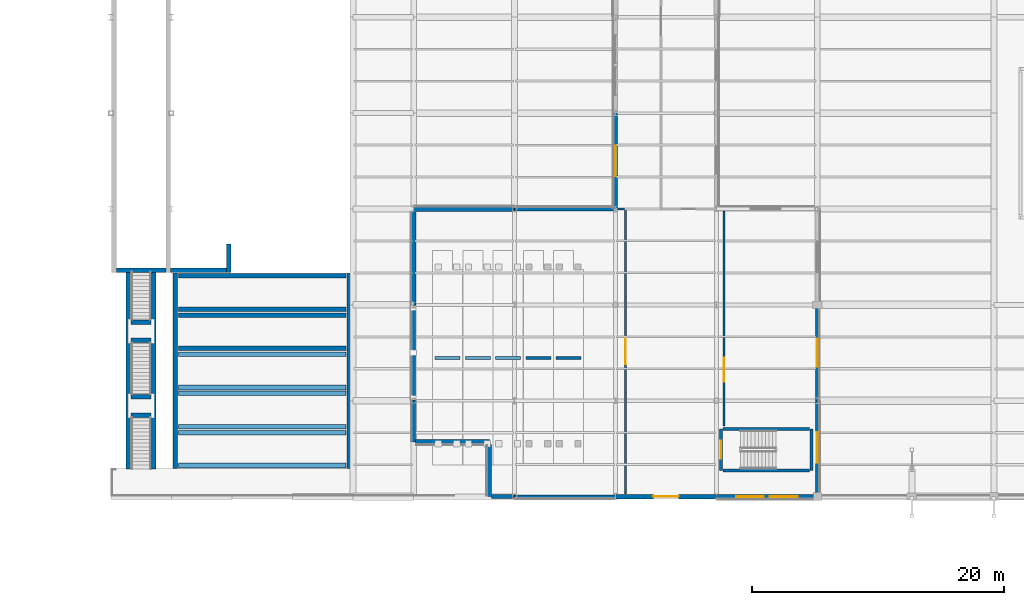
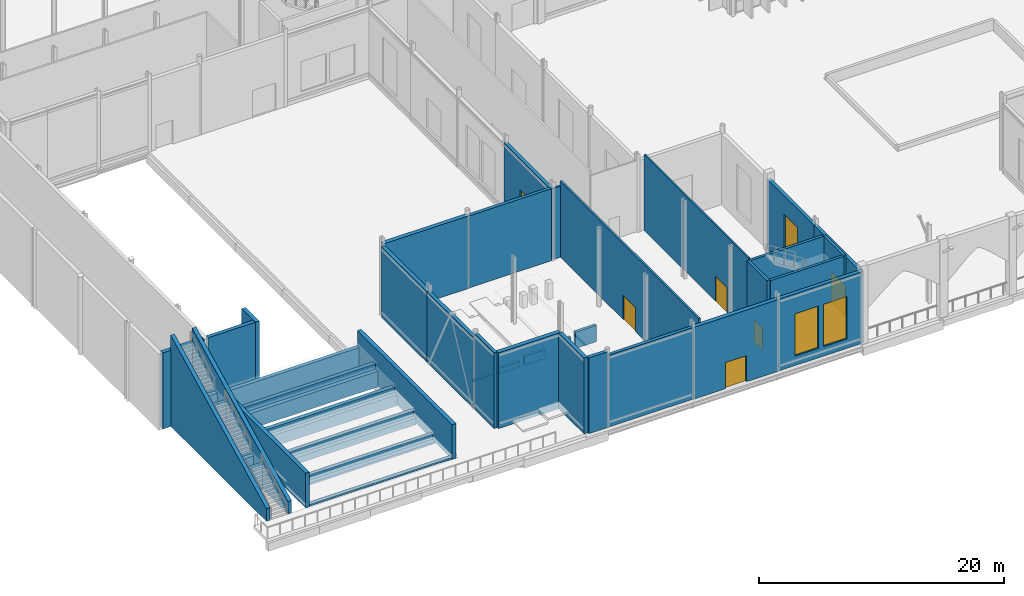
# One storey, part 132 of 176: 47 walls, 5 windows, 4 doors, 9 openings.
"""IFC4 building model written with IfcOpenShell, lengths in metres."""

from ifc_helpers import new_model, si_unit, direction, frame, frame_2d, origin, place, context, subcontext, project, spatial, polyline, rectangle, outline, extrude, material, layer, layer_set, type_object, element, fill, save


model = new_model("IFC4")

# Units and contexts
model_context = context("Model", 3, precision=1e-05, world=origin(), true_north=direction((0.0, 1.0)))
body_context = subcontext(model_context, "Body", "Model", "MODEL_VIEW")
ifc_project = project(units=[si_unit("LENGTHUNIT", "METRE"), si_unit("AREAUNIT", "SQUARE_METRE"), si_unit("VOLUMEUNIT", "CUBIC_METRE"), si_unit("PLANEANGLEUNIT", "RADIAN"), si_unit("MASSUNIT", "GRAM", prefix="KILO")], contexts=[model_context])

# Site, building, storey
site_placement = place(None, origin())
site = spatial("IfcSite", under=ifc_project, at=site_placement, CompositionType="ELEMENT")
building_placement = place(site_placement, origin())
building = spatial("IfcBuilding", under=site, at=building_placement, Name="Vekula Escarpment Museum", CompositionType="ELEMENT")
storey_placement = place(building_placement, origin())
storey = spatial("IfcBuildingStorey", under=building, at=storey_placement, Name="L01", CompositionType="ELEMENT", Elevation=0.0)

# Walls
ifc_material_1 = material(Name="Inkisi arkosic sandstone masonry", Category="masonry")
ifc_layer_1 = layer(ifc_material_1, 0.300048828125)
ifc_layer_set_1 = layer_set([ifc_layer_1], Name="Inkisi arkosic sandstone masonry")
wall_type_1 = type_object("IfcWallType", Name="WL-ALM-300", PredefinedType="SOLIDWALL", material=ifc_layer_set_1)
wall_1_placement = place(storey_placement, frame((32.0, 22.800048828125, 0.0), z_axis=(0.0, 0.0, 1.0), x_axis=(1.0, 0.0, 0.0)))
element("IfcWall", 1, at=wall_1_placement, inside=storey, type_object=wall_type_1, Name="Exterior Wall WL-EXT-L01-0267", PredefinedType="SOLIDWALL", context=body_context, shape_type="SweptSolid", body=[
    extrude(rectangle(XDim=7.8359375, YDim=0.300048828125, at=frame_2d((3.91796875, 0.0))), origin(), (0.0, 0.0, 1.0), 7.1650390625),
])
wall_2_placement = place(storey_placement, frame((24.0, 4.33203125, 0.0), z_axis=(0.0, 0.0, 1.0), x_axis=(0.0, 1.0, 0.0)))
element("IfcWall", 2, at=wall_2_placement, inside=storey, type_object=wall_type_1, Name="Exterior Wall WL-EXT-L01-0271", PredefinedType="SOLIDWALL", context=body_context, shape_type="SweptSolid", body=[
    extrude(rectangle(XDim=3.26806640625, YDim=0.300048828125, at=frame_2d((1.634033203125, 0.0))), origin(), (0.0, 0.0, 1.0), 7.5400390625),
])
wall_3_placement = place(storey_placement, frame((40.0, 0.0, 0.0), z_axis=(0.0, 0.0, 1.0), x_axis=(-1.0, 0.0, 0.0)))
element("IfcWall", 3, at=wall_3_placement, inside=storey, type_object=wall_type_1, Name="Exterior Wall WL-EXT-L01-0275", PredefinedType="SOLIDWALL", context=body_context, shape_type="SweptSolid", body=[
    extrude(rectangle(XDim=8.0, YDim=0.300048828125, at=frame_2d((4.0, 0.0))), origin(), (0.0, 0.0, 1.0), 7.135009765625),
])

# Wall, opening, window
wall_4_placement = place(storey_placement, frame((56.0, 15.199951171875, 0.0), z_axis=(0.0, 0.0, 1.0), x_axis=(0.0, -1.0, 0.0)))
wall_4 = element("IfcWall", 4, at=wall_4_placement, inside=storey, type_object=wall_type_1, Name="Exterior Wall WL-EXT-L01-0279", PredefinedType="SOLIDWALL", context=body_context, shape_type="SweptSolid", body=[
    extrude(rectangle(XDim=7.599853515625, YDim=0.300048828125, at=frame_2d((3.7998046875, 0.0))), origin(), (0.0, 0.0, 1.0), 7.02490234375),
])
opening_1_placement = place(wall_4_placement, frame((2.699951171875, 0.0, 0.949951171875)))
opening_1 = element("IfcOpeningElement", 5, at=opening_1_placement, cuts=wall_4, Name="Opening WN-04", PredefinedType="OPENING", context=body_context, shape_type="SweptSolid", body=[
    extrude(rectangle(XDim=2.199951171875, YDim=4.199951171875, at=frame_2d((1.10009765625, 2.10009765625))), frame((0.0, 0.159912109375, 0.0), z_axis=(0.0, -1.0, 0.0), x_axis=(1.0, 0.0, 0.0)), (0.0, 0.0, 1.0), 0.320068359375),
])
ifc_material_2 = material(Name="Double solar-control low-E glass", Category="glass")
window_type_1 = type_object("IfcWindowType", Name="WN-ARCH-22x42", PartitioningType="DOUBLE_PANEL_VERTICAL", PredefinedType="WINDOW", material=ifc_material_2)
window_1_placement = place(opening_1_placement, origin())
window_1 = element("IfcWindow", 6, at=window_1_placement, inside=storey, type_object=window_type_1, Name="Window L01-0115", OverallHeight=4.199951171875, OverallWidth=2.199951171875, PartitioningType="SINGLE_PANEL", PredefinedType="WINDOW", context=body_context, shape_type="SweptSolid", body=[
    extrude(rectangle(XDim=2.199951171875, YDim=4.199951171875, at=frame_2d((1.10009765625, 2.10009765625))), frame((0.0, 0.030029296875, 0.0), z_axis=(0.0, -1.0, 0.0), x_axis=(1.0, 0.0, 0.0)), (0.0, 0.0, 1.0), 0.06005859375),
])
fill(opening_1, window_1)

ifc_material_3 = material(Name="Inkisi arkosic sandstone masonry", Category="masonry")
ifc_layer_2 = layer(ifc_material_3, 0.320068359375)
ifc_layer_set_2 = layer_set([ifc_layer_2], Name="Inkisi arkosic sandstone masonry")
wall_type_2 = type_object("IfcWallType", Name="WL-ALM-320", PredefinedType="SOLIDWALL", material=ifc_layer_set_2)
wall_5_placement = place(storey_placement, frame((40.0, 22.800048828125, 0.0), z_axis=(0.0, 0.0, 1.0), x_axis=(0.0, 1.0, 0.0)))
wall_5 = element("IfcWall", 7, at=wall_5_placement, inside=storey, type_object=wall_type_2, Name="Exterior Wall WL-EXT-L01-0266", PredefinedType="SOLIDWALL", context=body_context, shape_type="SweptSolid", body=[
    extrude(rectangle(XDim=7.599853515625, YDim=0.320068359375, at=frame_2d((3.7998046875, 0.0))), origin(), (0.0, 0.0, 1.0), 7.02490234375),
])
opening_2_placement = place(wall_5_placement, frame((2.60009765625, 0.0, 0.949951171875)))
opening_2 = element("IfcOpeningElement", 8, at=opening_2_placement, cuts=wall_5, Name="Opening WN-14", PredefinedType="OPENING", context=body_context, shape_type="SweptSolid", body=[
    extrude(rectangle(XDim=2.39990234375, YDim=3.0, at=frame_2d((1.199951171875, 1.5))), frame((0.0, 0.169921875, 0.0), z_axis=(0.0, -1.0, 0.0), x_axis=(1.0, 0.0, 0.0)), (0.0, 0.0, 1.0), 0.340087890625),
])
ifc_material_4 = material(Name="Double solar-control low-E glass", Category="glass")
window_type_2 = type_object("IfcWindowType", Name="WN-CAFE-24x30", PartitioningType="TRIPLE_PANEL_VERTICAL", PredefinedType="WINDOW", material=ifc_material_4)
window_2_placement = place(opening_2_placement, origin())
window_2 = element("IfcWindow", 9, at=window_2_placement, inside=storey, type_object=window_type_2, Name="Window L01-0111", OverallHeight=3.0, OverallWidth=2.39990234375, PartitioningType="SINGLE_PANEL", PredefinedType="WINDOW", context=body_context, shape_type="SweptSolid", body=[
    extrude(rectangle(XDim=2.39990234375, YDim=3.0, at=frame_2d((1.199951171875, 1.5))), frame((0.0, 0.030029296875, 0.0), z_axis=(0.0, -1.0, 0.0), x_axis=(1.0, 0.0, 0.0)), (0.0, 0.0, 1.0), 0.06005859375),
])
fill(opening_2, window_2)

# Walls
wall_6_placement = place(storey_placement, frame((24.0, 7.60009765625, 0.0), z_axis=(0.0, 0.0, 1.0), x_axis=(0.0, 1.0, 0.0)))
element("IfcWall", 10, at=wall_6_placement, inside=storey, type_object=wall_type_2, Name="Exterior Wall WL-EXT-L01-0270", PredefinedType="SOLIDWALL", context=body_context, shape_type="SweptSolid", body=[
    extrude(rectangle(XDim=7.599853515625, YDim=0.320068359375, at=frame_2d((3.7998046875, 0.0))), origin(), (0.0, 0.0, 1.0), 7.02490234375),
])
wall_7_placement = place(storey_placement, frame((32.0, 0.0, 0.0), z_axis=(0.0, 0.0, 1.0), x_axis=(-1.0, 0.0, 0.0)))
element("IfcWall", 11, at=wall_7_placement, inside=storey, type_object=wall_type_2, Name="Exterior Wall WL-EXT-L01-0274", PredefinedType="SOLIDWALL", context=body_context, shape_type="SweptSolid", body=[
    extrude(rectangle(XDim=1.821044921875, YDim=0.320068359375, at=frame_2d((0.91064453125, 0.0))), origin(), (0.0, 0.0, 1.0), 7.5400390625),
])

# Wall, opening, window
wall_8_placement = place(storey_placement, frame((56.0, 7.60009765625, 0.0), z_axis=(0.0, 0.0, 1.0), x_axis=(0.0, -1.0, 0.0)))
wall_8 = element("IfcWall", 12, at=wall_8_placement, inside=storey, type_object=wall_type_2, Name="Exterior Wall WL-EXT-L01-0278", PredefinedType="SOLIDWALL", context=body_context, shape_type="SweptSolid", body=[
    extrude(rectangle(XDim=7.421142578125, YDim=0.320068359375, at=frame_2d((3.71044921875, 0.0))), origin(), (0.0, 0.0, 1.0), 7.02490234375),
])
opening_3_placement = place(wall_8_placement, frame((2.510498046875, 0.0, 0.949951171875)))
opening_3 = element("IfcOpeningElement", 13, at=opening_3_placement, cuts=wall_8, Name="Opening WN-14", PredefinedType="OPENING", context=body_context, shape_type="SweptSolid", body=[
    extrude(rectangle(XDim=2.39990234375, YDim=3.0, at=frame_2d((1.199951171875, 1.5))), frame((0.0, 0.169921875, 0.0), z_axis=(0.0, -1.0, 0.0), x_axis=(1.0, 0.0, 0.0)), (0.0, 0.0, 1.0), 0.340087890625),
])
window_3_placement = place(opening_3_placement, origin())
window_3 = element("IfcWindow", 14, at=window_3_placement, inside=storey, type_object=window_type_2, Name="Window L01-0114", OverallHeight=3.0, OverallWidth=2.39990234375, PartitioningType="SINGLE_PANEL", PredefinedType="WINDOW", context=body_context, shape_type="SweptSolid", body=[
    extrude(rectangle(XDim=2.39990234375, YDim=3.0, at=frame_2d((1.199951171875, 1.5))), frame((0.0, 0.030029296875, 0.0), z_axis=(0.0, -1.0, 0.0), x_axis=(1.0, 0.0, 0.0)), (0.0, 0.0, 1.0), 0.06005859375),
])
fill(opening_3, window_3)

# Walls
ifc_material_5 = material(Name="Inkisi arkosic sandstone masonry", Category="masonry")
ifc_layer_3 = layer(ifc_material_5, 0.35009765625)
ifc_layer_set_3 = layer_set([ifc_layer_3], Name="Inkisi arkosic sandstone masonry")
wall_type_3 = type_object("IfcWallType", Name="WL-ALM-350", PredefinedType="SOLIDWALL", material=ifc_layer_set_3)
wall_9_placement = place(storey_placement, frame((24.0, 15.199951171875, 0.0), z_axis=(0.0, 0.0, 1.0), x_axis=(0.0, 1.0, 0.0)))
element("IfcWall", 15, at=wall_9_placement, inside=storey, type_object=wall_type_3, Name="Exterior Wall WL-EXT-L01-0269", PredefinedType="SOLIDWALL", context=body_context, shape_type="SweptSolid", body=[
    extrude(rectangle(XDim=7.406005859375, YDim=0.35009765625, at=frame_2d((3.703125, 0.0))), origin(), (0.0, 0.0, 1.0), 7.02490234375),
])
wall_10_placement = place(storey_placement, frame((30.0, 0.0, 0.0), z_axis=(0.0, 0.0, 1.0), x_axis=(0.0, 1.0, 0.0)))
element("IfcWall", 16, at=wall_10_placement, inside=storey, type_object=wall_type_3, Name="Exterior Wall WL-EXT-L01-0273", PredefinedType="SOLIDWALL", context=body_context, shape_type="SweptSolid", body=[
    extrude(rectangle(XDim=4.137939453125, YDim=0.35009765625, at=frame_2d((2.06884765625, 0.0))), origin(), (0.0, 0.0, 1.0), 7.5400390625),
])

# Wall, openings, windows
wall_11_placement = place(storey_placement, frame((56.0, 0.0, 0.0), z_axis=(0.0, 0.0, 1.0), x_axis=(-1.0, 0.0, 0.0)))
wall_11 = element("IfcWall", 17, at=wall_11_placement, inside=storey, type_object=wall_type_3, Name="Exterior Wall WL-EXT-L01-0277", PredefinedType="SOLIDWALL", context=body_context, shape_type="SweptSolid", body=[
    extrude(rectangle(XDim=8.0, YDim=0.35009765625, at=frame_2d((4.0, 0.0))), origin(), (0.0, 0.0, 1.0), 7.135009765625),
])
opening_4_placement = place(wall_11_placement, frame((1.566650390625, 0.0, 0.949951171875)))
opening_4 = element("IfcOpeningElement", 18, at=opening_4_placement, cuts=wall_11, Name="Opening WN-04", PredefinedType="OPENING", context=body_context, shape_type="SweptSolid", body=[
    extrude(rectangle(XDim=2.199951171875, YDim=4.199951171875, at=frame_2d((1.10009765625, 2.10009765625))), frame((0.0, 0.18505859375, 0.0), z_axis=(0.0, -1.0, 0.0), x_axis=(1.0, 0.0, 0.0)), (0.0, 0.0, 1.0), 0.3701171875),
])
opening_5_placement = place(wall_11_placement, frame((4.2333984375, 0.0, 0.949951171875)))
opening_5 = element("IfcOpeningElement", 19, at=opening_5_placement, cuts=wall_11, Name="Opening WN-04", PredefinedType="OPENING", context=body_context, shape_type="SweptSolid", body=[
    extrude(rectangle(XDim=2.199951171875, YDim=4.199951171875, at=frame_2d((1.10009765625, 2.10009765625))), frame((0.0, 0.18505859375, 0.0), z_axis=(0.0, -1.0, 0.0), x_axis=(1.0, 0.0, 0.0)), (0.0, 0.0, 1.0), 0.3701171875),
])
window_4_placement = place(opening_4_placement, origin())
window_4 = element("IfcWindow", 20, at=window_4_placement, inside=storey, type_object=window_type_1, Name="Window L01-0112", OverallHeight=4.199951171875, OverallWidth=2.199951171875, PartitioningType="SINGLE_PANEL", PredefinedType="WINDOW", context=body_context, shape_type="SweptSolid", body=[
    extrude(rectangle(XDim=2.199951171875, YDim=4.199951171875, at=frame_2d((1.10009765625, 2.10009765625))), frame((0.0, 0.030029296875, 0.0), z_axis=(0.0, -1.0, 0.0), x_axis=(1.0, 0.0, 0.0)), (0.0, 0.0, 1.0), 0.06005859375),
])
fill(opening_4, window_4)
window_5_placement = place(opening_5_placement, origin())
window_5 = element("IfcWindow", 21, at=window_5_placement, inside=storey, type_object=window_type_1, Name="Window L01-0113", OverallHeight=4.199951171875, OverallWidth=2.199951171875, PartitioningType="SINGLE_PANEL", PredefinedType="WINDOW", context=body_context, shape_type="SweptSolid", body=[
    extrude(rectangle(XDim=2.199951171875, YDim=4.199951171875, at=frame_2d((1.10009765625, 2.10009765625))), frame((0.0, 0.030029296875, 0.0), z_axis=(0.0, -1.0, 0.0), x_axis=(1.0, 0.0, 0.0)), (0.0, 0.0, 1.0), 0.06005859375),
])
fill(opening_5, window_5)

# Walls
ifc_material_6 = material(Name="Inkisi arkosic sandstone masonry", Category="masonry")
ifc_layer_4 = layer(ifc_material_6, 0.3798828125)
ifc_layer_set_4 = layer_set([ifc_layer_4], Name="Inkisi arkosic sandstone masonry")
wall_type_4 = type_object("IfcWallType", Name="WL-ALM-380", PredefinedType="SOLIDWALL", material=ifc_layer_set_4)
wall_12_placement = place(storey_placement, frame((24.0, 22.800048828125, 0.0), z_axis=(0.0, 0.0, 1.0), x_axis=(1.0, 0.0, 0.0)))
element("IfcWall", 22, at=wall_12_placement, inside=storey, type_object=wall_type_4, Name="Exterior Wall WL-EXT-L01-0268", PredefinedType="SOLIDWALL", context=body_context, shape_type="SweptSolid", body=[
    extrude(rectangle(XDim=8.0, YDim=0.3798828125, at=frame_2d((4.0, 0.0))), origin(), (0.0, 0.0, 1.0), 7.22509765625),
])
wall_13_placement = place(storey_placement, frame((30.0, 4.33203125, 0.0), z_axis=(0.0, 0.0, 1.0), x_axis=(-1.0, 0.0, 0.0)))
element("IfcWall", 23, at=wall_13_placement, inside=storey, type_object=wall_type_4, Name="Exterior Wall WL-EXT-L01-0272", PredefinedType="SOLIDWALL", context=body_context, shape_type="SweptSolid", body=[
    extrude(rectangle(XDim=5.845947265625, YDim=0.3798828125, at=frame_2d((2.9228515625, 0.0))), origin(), (0.0, 0.0, 1.0), 7.5400390625),
])

# Wall, opening, door
wall_14_placement = place(storey_placement, frame((48.0, 0.0, 0.0), z_axis=(0.0, 0.0, 1.0), x_axis=(-1.0, 0.0, 0.0)))
wall_14 = element("IfcWall", 24, at=wall_14_placement, inside=storey, type_object=wall_type_4, Name="Exterior Wall WL-EXT-L01-0276", PredefinedType="SOLIDWALL", context=body_context, shape_type="SweptSolid", body=[
    extrude(rectangle(XDim=8.0, YDim=0.3798828125, at=frame_2d((4.0, 0.0))), origin(), (0.0, 0.0, 1.0), 7.135009765625),
])
opening_6_placement = place(wall_14_placement, frame((3.0, 0.0, 0.0)))
opening_6 = element("IfcOpeningElement", 25, at=opening_6_placement, cuts=wall_14, Name="Opening D-EX04", PredefinedType="OPENING", context=body_context, shape_type="SweptSolid", body=[
    extrude(rectangle(XDim=2.0, YDim=2.60009765625, at=frame_2d((1.0, 1.300048828125))), frame((0.0, 0.199951171875, 0.0), z_axis=(0.0, -1.0, 0.0), x_axis=(1.0, 0.0, 0.0)), (0.0, 0.0, 1.0), 0.39990234375),
])
ifc_material_7 = material(Name="Bronze-anodized glazed exit door", Category="aluminium")
door_type_1 = type_object("IfcDoorType", Name="DR-EX-2000x2600", OperationType="NOTDEFINED", PredefinedType="DOOR", material=ifc_material_7)
door_1_placement = place(opening_6_placement, origin())
door_1 = element("IfcDoor", 26, at=door_1_placement, inside=storey, type_object=door_type_1, Name="Auditorium South Exit Door D-EX04", OperationType="SINGLE_SWING_RIGHT", OverallHeight=2.60009765625, OverallWidth=2.0, PredefinedType="DOOR", context=body_context, shape_type="SweptSolid", body=[
    extrude(rectangle(XDim=2.0, YDim=2.60009765625, at=frame_2d((1.0, 1.300048828125))), frame((0.0, 0.02490234375, 0.0), z_axis=(0.0, -1.0, 0.0), x_axis=(1.0, 0.0, 0.0)), (0.0, 0.0, 1.0), 0.050048828125),
])
fill(opening_6, door_1)

# Walls
ifc_material_8 = material(Name="Inkisi arkosic sandstone masonry", Category="masonry")
ifc_layer_5 = layer(ifc_material_8, 0.360107421875)
ifc_layer_set_5 = layer_set([ifc_layer_5], Name="Inkisi arkosic sandstone masonry")
wall_type_5 = type_object("IfcWallType", Name="WL-AMP-CHEEK", PredefinedType="SOLIDWALL", material=ifc_layer_set_5)
for number, where, z_axis, x_axis, name in (
    (27, (1.389892578125, 2.2099609375, 0.0), (0.0, 0.0, 1.0), (0.0, 1.0, 0.0), "Escarpment Plinth Stepped Cheek Wall ST-AMP-S1 W"),
    (28, (3.409912109375, 2.2099609375, 0.0), (0.0, 0.0, 1.0), (0.0, 1.0, 0.0), "Escarpment Plinth Stepped Cheek Wall ST-AMP-S1 E"),
):
    element("IfcWall", number, at=place(storey_placement, frame(where, z_axis=z_axis, x_axis=x_axis)), inside=storey, type_object=wall_type_5, Name=name, PredefinedType="SOLIDWALL", context=body_context, shape_type="SweptSolid", body=[
        extrude(outline(polyline([(0.0, 0.0), (15.590087890625, 0.0), (15.590087890625, 9.050048828125), (0.0, 1.25), (0.0, 0.0)])), frame((0.0, 0.18017578125, 0.0), z_axis=(0.0, -1.0, 0.0), x_axis=(1.0, 0.0, 0.0)), (0.0, 0.0, 1.0), 0.360107421875),
    ])
for number, where, z_axis, x_axis, name in (
    (29, (1.60009765625, 6.469970703125, 0.0), (0.0, 0.0, 1.0), (1.0, 0.0, 0.0), "Escarpment Plinth Landing Pier Wall ST-AMP-S1-1A"),
    (30, (1.60009765625, 7.919921875, 0.0), (0.0, 0.0, 1.0), (1.0, 0.0, 0.0), "Escarpment Plinth Landing Pier Wall ST-AMP-S1-1B"),
):
    element("IfcWall", number, at=place(storey_placement, frame(where, z_axis=z_axis, x_axis=x_axis)), inside=storey, type_object=wall_type_5, Name=name, PredefinedType="SOLIDWALL", context=body_context, shape_type="SweptSolid", body=[
        extrude(rectangle(XDim=1.599853515625, YDim=0.360107421875, at=frame_2d((0.7998046875, 0.0))), origin(), (0.0, 0.0, 1.0), 2.458984375),
    ])
for number, where, z_axis, x_axis, name in (
    (31, (1.60009765625, 12.3798828125, 0.0), (0.0, 0.0, 1.0), (1.0, 0.0, 0.0), "Escarpment Plinth Landing Pier Wall ST-AMP-S1-2A"),
    (32, (1.60009765625, 13.830078125, 0.0), (0.0, 0.0, 1.0), (1.0, 0.0, 0.0), "Escarpment Plinth Landing Pier Wall ST-AMP-S1-2B"),
):
    element("IfcWall", number, at=place(storey_placement, frame(where, z_axis=z_axis, x_axis=x_axis)), inside=storey, type_object=wall_type_5, Name=name, PredefinedType="SOLIDWALL", context=body_context, shape_type="SweptSolid", body=[
        extrude(rectangle(XDim=1.599853515625, YDim=0.360107421875, at=frame_2d((0.7998046875, 0.0))), origin(), (0.0, 0.0, 1.0), 5.1181640625),
    ])
wall_15_placement = place(storey_placement, frame((9.35009765625, 17.760009765625, 0.0), z_axis=(0.0, 0.0, 1.0), x_axis=(0.0, 1.0, 0.0)))
element("IfcWall", 33, at=wall_15_placement, inside=storey, type_object=wall_type_5, Name="Stepped Plinth Terrace Wall L01-04", PredefinedType="SOLIDWALL", context=body_context, shape_type="SweptSolid", body=[
    extrude(rectangle(XDim=2.260009765625, YDim=0.360107421875, at=frame_2d((1.1298828125, 0.0))), origin(), (0.0, 0.0, 1.0), 7.580078125),
])
wall_16_placement = place(storey_placement, frame((0.449951171875, 17.949951171875, 0.0), z_axis=(0.0, 0.0, 1.0), x_axis=(1.0, 0.0, 0.0)))
element("IfcWall", 34, at=wall_16_placement, inside=storey, type_object=wall_type_5, Name="Stepped Plinth Terrace Wall L01-05", PredefinedType="SOLIDWALL", context=body_context, shape_type="SweptSolid", body=[
    extrude(rectangle(XDim=3.916015625, YDim=0.360107421875, at=frame_2d((1.9580078125, 0.0))), origin(), (0.0, 0.0, 1.0), 7.580078125),
])
wall_17_placement = place(storey_placement, frame((4.73388671875, 17.949951171875, 0.0), z_axis=(0.0, 0.0, 1.0), x_axis=(1.0, 0.0, 0.0)))
element("IfcWall", 35, at=wall_17_placement, inside=storey, type_object=wall_type_5, Name="Stepped Plinth Terrace Wall L01-05", PredefinedType="SOLIDWALL", context=body_context, shape_type="SweptSolid", body=[
    extrude(rectangle(XDim=4.416015625, YDim=0.360107421875, at=frame_2d((2.2080078125, 0.0))), origin(), (0.0, 0.0, 1.0), 7.580078125),
])
for number, where, z_axis, x_axis, name in (
    (36, (5.10009765625, 2.25, 0.0), (0.0, 0.0, 1.0), (0.0, 1.0, 0.0), "Escarpment Plinth Bowl Cheek Wall S-W"),
    (37, (18.89990234375, 2.25, 0.0), (0.0, 0.0, 1.0), (0.0, 1.0, 0.0), "Escarpment Plinth Bowl Cheek Wall S-E"),
):
    element("IfcWall", number, at=place(storey_placement, frame(where, z_axis=z_axis, x_axis=x_axis)), inside=storey, type_object=wall_type_5, Name=name, PredefinedType="SOLIDWALL", context=body_context, shape_type="SweptSolid", body=[
        extrude(rectangle(XDim=15.469970703125, YDim=0.360107421875, at=frame_2d((7.73486328125, 0.0))), origin(), (0.0, 0.0, 1.0), 3.449951171875),
    ])
for number, where, z_axis, x_axis, name in (
    (38, (5.35009765625, 2.469970703125, 0.0), (0.0, 0.0, 1.0), (1.0, 0.0, 0.0), "Escarpment Plinth Bench Riser Wall 01F"),
    (39, (5.35009765625, 5.080078125, 0.0), (0.0, 0.0, 1.0), (1.0, 0.0, 0.0), "Escarpment Plinth Bench Riser Wall 01B"),
):
    element("IfcWall", number, at=place(storey_placement, frame(where, z_axis=z_axis, x_axis=x_axis)), inside=storey, type_object=wall_type_5, Name=name, PredefinedType="SOLIDWALL", context=body_context, shape_type="SweptSolid", body=[
        extrude(rectangle(XDim=13.2998046875, YDim=0.360107421875, at=frame_2d((6.64990234375, 0.0))), origin(), (0.0, 0.0, 1.0), 0.199951171875),
    ])
for number, where, z_axis, x_axis, name in (
    (40, (5.35009765625, 5.550048828125, 0.0), (0.0, 0.0, 1.0), (1.0, 0.0, 0.0), "Escarpment Plinth Bench Riser Wall 02F"),
    (41, (5.35009765625, 8.179931640625, 0.0), (0.0, 0.0, 1.0), (1.0, 0.0, 0.0), "Escarpment Plinth Bench Riser Wall 02B"),
):
    element("IfcWall", number, at=place(storey_placement, frame(where, z_axis=z_axis, x_axis=x_axis)), inside=storey, type_object=wall_type_5, Name=name, PredefinedType="SOLIDWALL", context=body_context, shape_type="SweptSolid", body=[
        extrude(rectangle(XDim=13.2998046875, YDim=0.360107421875, at=frame_2d((6.64990234375, 0.0))), origin(), (0.0, 0.0, 1.0), 0.64990234375),
    ])
for number, where, z_axis, x_axis, name in (
    (42, (5.35009765625, 8.64990234375, 0.0), (0.0, 0.0, 1.0), (1.0, 0.0, 0.0), "Escarpment Plinth Bench Riser Wall 03F"),
    (43, (5.35009765625, 11.280029296875, 0.0), (0.0, 0.0, 1.0), (1.0, 0.0, 0.0), "Escarpment Plinth Bench Riser Wall 03B"),
):
    element("IfcWall", number, at=place(storey_placement, frame(where, z_axis=z_axis, x_axis=x_axis)), inside=storey, type_object=wall_type_5, Name=name, PredefinedType="SOLIDWALL", context=body_context, shape_type="SweptSolid", body=[
        extrude(rectangle(XDim=13.2998046875, YDim=0.360107421875, at=frame_2d((6.64990234375, 0.0))), origin(), (0.0, 0.0, 1.0), 1.10009765625),
    ])
for number, where, z_axis, x_axis, name in (
    (44, (5.35009765625, 11.75, 0.0), (0.0, 0.0, 1.0), (1.0, 0.0, 0.0), "Escarpment Plinth Bench Riser Wall 04F"),
    (45, (5.35009765625, 14.3798828125, 0.0), (0.0, 0.0, 1.0), (1.0, 0.0, 0.0), "Escarpment Plinth Bench Riser Wall 04B"),
):
    element("IfcWall", number, at=place(storey_placement, frame(where, z_axis=z_axis, x_axis=x_axis)), inside=storey, type_object=wall_type_5, Name=name, PredefinedType="SOLIDWALL", context=body_context, shape_type="SweptSolid", body=[
        extrude(rectangle(XDim=13.2998046875, YDim=0.360107421875, at=frame_2d((6.64990234375, 0.0))), origin(), (0.0, 0.0, 1.0), 1.550048828125),
    ])
for number, where, z_axis, x_axis, name in (
    (46, (5.35009765625, 14.85009765625, 0.0), (0.0, 0.0, 1.0), (1.0, 0.0, 0.0), "Escarpment Plinth Bench Riser Wall 05F"),
    (47, (5.35009765625, 17.5, 0.0), (0.0, 0.0, 1.0), (1.0, 0.0, 0.0), "Escarpment Plinth Bench Riser Wall 05B"),
):
    element("IfcWall", number, at=place(storey_placement, frame(where, z_axis=z_axis, x_axis=x_axis)), inside=storey, type_object=wall_type_5, Name=name, PredefinedType="SOLIDWALL", context=body_context, shape_type="SweptSolid", body=[
        extrude(rectangle(XDim=13.2998046875, YDim=0.360107421875, at=frame_2d((6.64990234375, 0.0))), origin(), (0.0, 0.0, 1.0), 2.0),
    ])
ifc_material_9 = material(Name="Concrete C35/45", Category="concrete")
ifc_layer_6 = layer(ifc_material_9, 0.25)
ifc_layer_set_6 = layer_set([ifc_layer_6], Name="Concrete C35/45")
wall_type_6 = type_object("IfcWallType", Name="WL-AUD-STEP", PredefinedType="SHEAR", material=ifc_layer_set_6)
wall_18_placement = place(storey_placement, frame((25.699951171875, 11.0, 0.0), z_axis=(0.0, 0.0, 1.0), x_axis=(1.0, 0.0, 0.0)))
element("IfcWall", 48, at=wall_18_placement, inside=storey, type_object=wall_type_6, Name="Auditorium Deck Riser Wall 1", PredefinedType="SHEAR", context=body_context, shape_type="SweptSolid", body=[
    extrude(rectangle(XDim=1.97998046875, YDim=0.25, at=frame_2d((0.989990234375, 0.0))), origin(), (0.0, 0.0, 1.0), 0.179931640625),
])
wall_19_placement = place(storey_placement, frame((28.10009765625, 11.0, 0.0), z_axis=(0.0, 0.0, 1.0), x_axis=(1.0, 0.0, 0.0)))
element("IfcWall", 49, at=wall_19_placement, inside=storey, type_object=wall_type_6, Name="Auditorium Deck Riser Wall 2", PredefinedType="SHEAR", context=body_context, shape_type="SweptSolid", body=[
    extrude(rectangle(XDim=1.97998046875, YDim=0.25, at=frame_2d((0.989990234375, 0.0))), origin(), (0.0, 0.0, 1.0), 0.5400390625),
])
wall_20_placement = place(storey_placement, frame((30.5, 11.0, 0.0), z_axis=(0.0, 0.0, 1.0), x_axis=(1.0, 0.0, 0.0)))
element("IfcWall", 50, at=wall_20_placement, inside=storey, type_object=wall_type_6, Name="Auditorium Deck Riser Wall 3", PredefinedType="SHEAR", context=body_context, shape_type="SweptSolid", body=[
    extrude(rectangle(XDim=1.97998046875, YDim=0.25, at=frame_2d((0.989990234375, 0.0))), origin(), (0.0, 0.0, 1.0), 0.89990234375),
])
wall_21_placement = place(storey_placement, frame((32.89990234375, 11.0, 0.0), z_axis=(0.0, 0.0, 1.0), x_axis=(1.0, 0.0, 0.0)))
element("IfcWall", 51, at=wall_21_placement, inside=storey, type_object=wall_type_6, Name="Auditorium Deck Riser Wall 4", PredefinedType="SHEAR", context=body_context, shape_type="SweptSolid", body=[
    extrude(rectangle(XDim=1.97998046875, YDim=0.25, at=frame_2d((0.989990234375, 0.0))), origin(), (0.0, 0.0, 1.0), 1.260009765625),
])
wall_22_placement = place(storey_placement, frame((35.300048828125, 11.0, 0.0), z_axis=(0.0, 0.0, 1.0), x_axis=(1.0, 0.0, 0.0)))
element("IfcWall", 52, at=wall_22_placement, inside=storey, type_object=wall_type_6, Name="Auditorium Deck Riser Wall 5", PredefinedType="SHEAR", context=body_context, shape_type="SweptSolid", body=[
    extrude(rectangle(XDim=1.97998046875, YDim=0.25, at=frame_2d((0.989990234375, 0.0))), origin(), (0.0, 0.0, 1.0), 1.6201171875),
])

# Wall, opening, door
ifc_material_10 = material(Name="Concrete C35/45", Category="concrete")
ifc_layer_7 = layer(ifc_material_10, 0.25)
ifc_layer_set_7 = layer_set([ifc_layer_7], Name="Concrete C35/45")
wall_type_7 = type_object("IfcWallType", Name="WL-CORE-250", PredefinedType="SHEAR", material=ifc_layer_set_7)
wall_23_placement = place(storey_placement, frame((48.375, 2.074951171875, 0.0), z_axis=(0.0, 0.0, 1.0), x_axis=(0.0, 1.0, 0.0)))
wall_23 = element("IfcWall", 53, at=wall_23_placement, inside=storey, type_object=wall_type_7, Name="Stair Core Wall ST-07 L01 W", PredefinedType="SHEAR", context=body_context, shape_type="SweptSolid", body=[
    extrude(rectangle(XDim=3.2900390625, YDim=0.25, at=frame_2d((1.64501953125, 0.0))), origin(), (0.0, 0.0, 1.0), 7.5400390625),
])
opening_7_placement = place(wall_23_placement, frame((0.945068359375, 0.0, 0.0)))
opening_7 = element("IfcOpeningElement", 54, at=opening_7_placement, cuts=wall_23, Name="Opening DR-FD60", PredefinedType="OPENING", context=body_context, shape_type="SweptSolid", body=[
    extrude(rectangle(XDim=1.39990234375, YDim=2.199951171875, at=frame_2d((0.699951171875, 1.10009765625))), frame((0.0, 0.135009765625, 0.0), z_axis=(0.0, -1.0, 0.0), x_axis=(1.0, 0.0, 0.0)), (0.0, 0.0, 1.0), 0.27001953125),
])
ifc_material_11 = material(Name="Fire-rated steel stair door", Category="steel")
door_type_2 = type_object("IfcDoorType", Name="DR-STAIR-1400x2200", OperationType="NOTDEFINED", PredefinedType="DOOR", material=ifc_material_11)
door_2_placement = place(opening_7_placement, origin())
door_2 = element("IfcDoor", 55, at=door_2_placement, inside=storey, type_object=door_type_2, Name="Protected Exit Stair Door ST-07 L01", OperationType="SINGLE_SWING_LEFT", OverallHeight=2.199951171875, OverallWidth=1.39990234375, PredefinedType="DOOR", context=body_context, shape_type="SweptSolid", body=[
    extrude(rectangle(XDim=1.39990234375, YDim=2.199951171875, at=frame_2d((0.699951171875, 1.10009765625))), frame((0.0, 0.02490234375, 0.0), z_axis=(0.0, -1.0, 0.0), x_axis=(1.0, 0.0, 0.0)), (0.0, 0.0, 1.0), 0.050048828125),
])
fill(opening_7, door_2)

# Walls
wall_24_placement = place(storey_placement, frame((55.52490234375, 2.074951171875, 0.0), z_axis=(0.0, 0.0, 1.0), x_axis=(0.0, 1.0, 0.0)))
element("IfcWall", 56, at=wall_24_placement, inside=storey, type_object=wall_type_7, Name="Stair Core Wall ST-07 L01 E", PredefinedType="SHEAR", context=body_context, shape_type="SweptSolid", body=[
    extrude(rectangle(XDim=3.2900390625, YDim=0.25, at=frame_2d((1.64501953125, 0.0))), origin(), (0.0, 0.0, 1.0), 7.5400390625),
])
for number, where, z_axis, x_axis, name in (
    (57, (48.50390625, 2.074951171875, 0.0), (0.0, 0.0, 1.0), (1.0, 0.0, 0.0), "Stair Core Wall ST-07 L01 S"),
    (58, (48.50390625, 5.364990234375, 0.0), (0.0, 0.0, 1.0), (1.0, 0.0, 0.0), "Stair Core Wall ST-07 L01 N"),
):
    element("IfcWall", number, at=place(storey_placement, frame(where, z_axis=z_axis, x_axis=x_axis)), inside=storey, type_object=wall_type_7, Name=name, PredefinedType="SHEAR", context=body_context, shape_type="SweptSolid", body=[
        extrude(rectangle(XDim=6.89208984375, YDim=0.25, at=frame_2d((3.446044921875, 0.0))), origin(), (0.0, 0.0, 1.0), 7.5400390625),
    ])

# Wall, opening, door
ifc_material_12 = material(Name="Gypsum board dry-lined partition", Category="gypsum")
ifc_layer_8 = layer(ifc_material_12, 0.14990234375)
ifc_layer_set_8 = layer_set([ifc_layer_8], Name="Gypsum board dry-lined partition")
wall_type_8 = type_object("IfcWallType", Name="WL-PART-150", PredefinedType="PARTITIONING", material=ifc_layer_set_8)
wall_25_placement = place(storey_placement, frame((48.60009765625, 5.60009765625, 0.0), z_axis=(0.0, 0.0, 1.0), x_axis=(0.0, 1.0, 0.0)))
wall_25 = element("IfcWall", 59, at=wall_25_placement, inside=storey, type_object=wall_type_8, Name="Interior Partition WL-INT-L01-0077", PredefinedType="PARTITIONING", context=body_context, shape_type="SweptSolid", body=[
    extrude(rectangle(XDim=17.02099609375, YDim=0.14990234375, at=frame_2d((8.510498046875, 0.0))), origin(), (0.0, 0.0, 1.0), 7.5400390625),
])
opening_8_placement = place(wall_25_placement, frame((3.515625, 0.0, 0.0)))
opening_8 = element("IfcOpeningElement", 60, at=opening_8_placement, cuts=wall_25, Name="Opening DR-CF19", PredefinedType="OPENING", context=body_context, shape_type="SweptSolid", body=[
    extrude(rectangle(XDim=1.89990234375, YDim=2.5, at=frame_2d((0.949951171875, 1.25))), frame((0.0, 0.0849609375, 0.0), z_axis=(0.0, -1.0, 0.0), x_axis=(1.0, 0.0, 0.0)), (0.0, 0.0, 1.0), 0.169921875),
])
ifc_material_13 = material(Name="Glazed courtyard cafe door", Category="steel")
door_type_3 = type_object("IfcDoorType", Name="DR-CAF-1900x2500", OperationType="NOTDEFINED", PredefinedType="DOOR", material=ifc_material_13)
door_3_placement = place(opening_8_placement, origin())
door_3 = element("IfcDoor", 61, at=door_3_placement, inside=storey, type_object=door_type_3, Name="Interior Door L01-069", OperationType="SINGLE_SWING_RIGHT", OverallHeight=2.5, OverallWidth=1.89990234375, PredefinedType="DOOR", context=body_context, shape_type="SweptSolid", body=[
    extrude(rectangle(XDim=1.89990234375, YDim=2.5, at=frame_2d((0.949951171875, 1.25))), frame((0.0, 0.02490234375, 0.0), z_axis=(0.0, -1.0, 0.0), x_axis=(1.0, 0.0, 0.0)), (0.0, 0.0, 1.0), 0.050048828125),
])
fill(opening_8, door_3)

ifc_material_14 = material(Name="Gypsum board acoustic twin-stud partition", Category="gypsum")
ifc_layer_9 = layer(ifc_material_14, 0.179931640625)
ifc_layer_set_9 = layer_set([ifc_layer_9], Name="Gypsum board acoustic twin-stud partition")
wall_type_9 = type_object("IfcWallType", Name="WL-PART-180", PredefinedType="PARTITIONING", material=ifc_layer_set_9)
wall_26_placement = place(storey_placement, frame((40.800048828125, 0.194091796875, 0.0), z_axis=(0.0, 0.0, 1.0), x_axis=(0.0, 1.0, 0.0)))
wall_26 = element("IfcWall", 62, at=wall_26_placement, inside=storey, type_object=wall_type_9, Name="Interior Partition WL-INT-L01-0075", PredefinedType="PARTITIONING", context=body_context, shape_type="SweptSolid", body=[
    extrude(rectangle(XDim=22.60595703125, YDim=0.179931640625, at=frame_2d((11.302978515625, 0.0))), origin(), (0.0, 0.0, 1.0), 7.5400390625),
])
opening_9_placement = place(wall_26_placement, frame((10.302978515625, 0.0, 0.0)))
opening_9 = element("IfcOpeningElement", 63, at=opening_9_placement, cuts=wall_26, Name="Opening DR-AU20", PredefinedType="OPENING", context=body_context, shape_type="SweptSolid", body=[
    extrude(rectangle(XDim=2.0, YDim=2.39990234375, at=frame_2d((1.0, 1.199951171875))), frame((0.0, 0.099853515625, 0.0), z_axis=(0.0, -1.0, 0.0), x_axis=(1.0, 0.0, 0.0)), (0.0, 0.0, 1.0), 0.199951171875),
])
ifc_material_15 = material(Name="Double acoustic auditorium vestibule door", Category="steel")
door_type_4 = type_object("IfcDoorType", Name="DR-AUD-2000x2400", OperationType="NOTDEFINED", PredefinedType="DOOR", material=ifc_material_15)
door_4_placement = place(opening_9_placement, origin())
door_4 = element("IfcDoor", 64, at=door_4_placement, inside=storey, type_object=door_type_4, Name="Interior Door L01-068", OperationType="SINGLE_SWING_LEFT", OverallHeight=2.39990234375, OverallWidth=2.0, PredefinedType="DOOR", context=body_context, shape_type="SweptSolid", body=[
    extrude(rectangle(XDim=2.0, YDim=2.39990234375, at=frame_2d((1.0, 1.199951171875))), frame((0.0, 0.02490234375, 0.0), z_axis=(0.0, -1.0, 0.0), x_axis=(1.0, 0.0, 0.0)), (0.0, 0.0, 1.0), 0.050048828125),
])
fill(opening_9, door_4)

# Wall
wall_27_placement = place(storey_placement, frame((40.1640625, 22.800048828125, 0.0), z_axis=(0.0, 0.0, 1.0), x_axis=(1.0, 0.0, 0.0)))
element("IfcWall", 65, at=wall_27_placement, inside=storey, type_object=wall_type_9, Name="Interior Partition WL-INT-L01-0076", PredefinedType="PARTITIONING", context=body_context, shape_type="SweptSolid", body=[
    extrude(rectangle(XDim=0.5419921875, YDim=0.179931640625, at=frame_2d((0.27099609375, 0.0))), origin(), (0.0, 0.0, 1.0), 7.074951171875),
])

save(model, "model.ifc")
